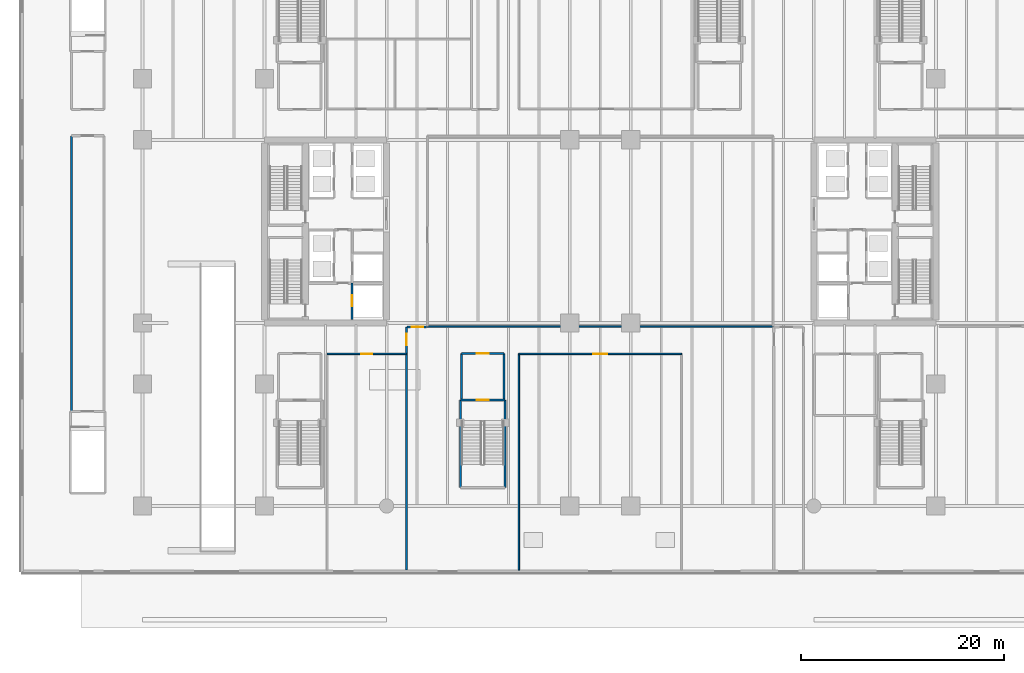
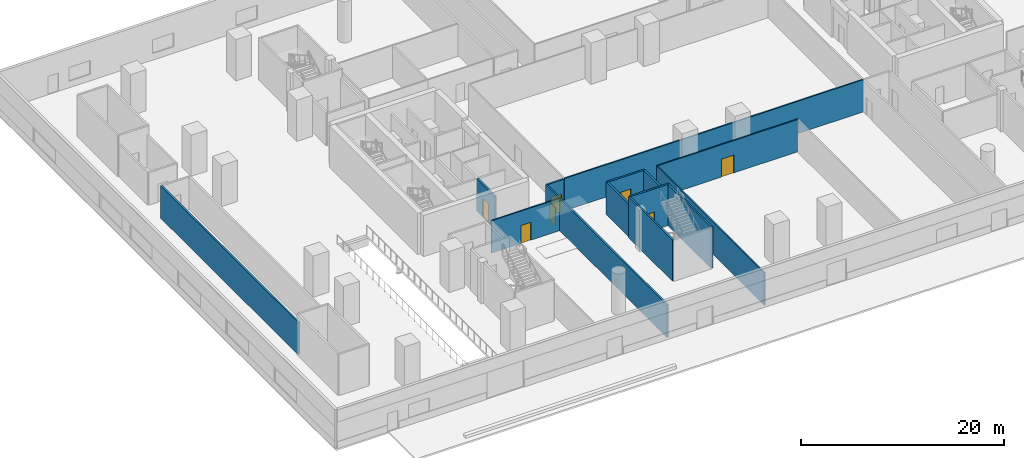
# One storey, part 5 of 25: 14 walls, 7 doors, 7 openings.
"""IFC4 building model written with IfcOpenShell, lengths in metres."""

from ifc_helpers import new_model, si_unit, direction, frame, frame_2d, origin, place, context, subcontext, project, spatial, rectangle, extrude, material, layer, layer_set, type_object, element, fill, save


model = new_model("IFC4")

# Units and contexts
model_context = context("Model", 3, precision=1e-05, world=origin(), true_north=direction((0.0, 1.0)))
body_context = subcontext(model_context, "Body", "Model", "MODEL_VIEW")
ifc_project = project(units=[si_unit("LENGTHUNIT", "METRE"), si_unit("AREAUNIT", "SQUARE_METRE"), si_unit("VOLUMEUNIT", "CUBIC_METRE"), si_unit("PLANEANGLEUNIT", "RADIAN"), si_unit("MASSUNIT", "GRAM", prefix="KILO")], contexts=[model_context])

# Site, building, storey
site_placement = place(None, origin())
site = spatial("IfcSite", under=ifc_project, at=site_placement, CompositionType="ELEMENT")
building_placement = place(site_placement, origin())
building = spatial("IfcBuilding", under=site, at=building_placement, Name="Tanjung Sevakor Pilgrim Tower", CompositionType="ELEMENT")
storey_placement = place(building_placement, origin())
storey = spatial("IfcBuildingStorey", under=building, at=storey_placement, Name="L01", CompositionType="ELEMENT", Elevation=0.0)

# Wall, opening, door
ifc_material_1 = material(Name="Concrete C40/50", Category="concrete")
ifc_layer_1 = layer(ifc_material_1, 0.14990234375)
ifc_layer_set_1 = layer_set([ifc_layer_1], Name="WT-COMP-150")
wall_type_1 = type_object("IfcWallType", Name="WT-COMP-150", PredefinedType="SOLIDWALL", material=ifc_layer_set_1)
wall_1_placement = place(storey_placement, frame((49.0, 21.550048828125, 0.0), z_axis=(0.0, 0.0, 1.0), x_axis=(1.0, 0.0, 0.0)))
wall_1 = element("IfcWall", 1, at=wall_1_placement, inside=storey, type_object=wall_type_1, Name="L01 Partition IW-L01-061", PredefinedType="SOLIDWALL", context=body_context, shape_type="SweptSolid", body=[
    extrude(rectangle(XDim=16.0, YDim=0.14990234375, at=frame_2d((8.0, 0.0))), origin(), (0.0, 0.0, 1.0), 3.889892578125),
])
opening_1_placement = place(wall_1_placement, frame((7.300048828125, 0.0, 0.0)))
opening_1 = element("IfcOpeningElement", 2, at=opening_1_placement, cuts=wall_1, Name="Opening ID-HD1", PredefinedType="OPENING", context=body_context, shape_type="SweptSolid", body=[
    extrude(rectangle(XDim=1.39990234375, YDim=2.14990234375, at=frame_2d((0.699951171875, 1.074951171875))), frame((0.0, 0.0849609375, 0.0), z_axis=(0.0, -1.0, 0.0), x_axis=(1.0, 0.0, 0.0)), (0.0, 0.0, 1.0), 0.169921875),
])
ifc_material_2 = material(Name="Hardwood Timber", Category="wood")
door_type_1 = type_object("IfcDoorType", Name="DT-INT-1400", OperationType="DOUBLE_DOOR_SINGLE_SWING", PredefinedType="DOOR", material=ifc_material_2)
door_1_placement = place(opening_1_placement, frame((1.39990234375, 0.0, 0.0), z_axis=(0.0, 0.0, 1.0), x_axis=(-1.0, 0.0, 0.0)))
door_1 = element("IfcDoor", 3, at=door_1_placement, inside=storey, type_object=door_type_1, Name="L01 Reception Lobby Door", OperationType="SINGLE_SWING_RIGHT", OverallHeight=2.14990234375, OverallWidth=1.39990234375, PredefinedType="DOOR", context=body_context, shape_type="SweptSolid", body=[
    extrude(rectangle(XDim=1.39990234375, YDim=2.14990234375, at=frame_2d((0.699951171875, 1.074951171875))), frame((0.0, 0.02490234375, 0.0), z_axis=(0.0, -1.0, 0.0), x_axis=(1.0, 0.0, 0.0)), (0.0, 0.0, 1.0), 0.050048828125),
])
fill(opening_1, door_1)

# Walls
wall_2_placement = place(storey_placement, frame((49.0, 0.300048828125, 0.0), z_axis=(0.0, 0.0, 1.0), x_axis=(0.0, 1.0, 0.0)))
element("IfcWall", 4, at=wall_2_placement, inside=storey, type_object=wall_type_1, Name="L01 Partition IW-L01-062", PredefinedType="SOLIDWALL", context=body_context, shape_type="SweptSolid", body=[
    extrude(rectangle(XDim=21.25, YDim=0.14990234375, at=frame_2d((10.625, 0.0))), origin(), (0.0, 0.0, 1.0), 3.889892578125),
])
wall_3_placement = place(storey_placement, frame((40.0, 24.25, 0.0), z_axis=(0.0, 0.0, 1.0), x_axis=(1.0, 0.0, 0.0)))
element("IfcWall", 5, at=wall_3_placement, inside=storey, type_object=wall_type_1, Name="L01 Partition IW-L01-070", PredefinedType="SOLIDWALL", context=body_context, shape_type="SweptSolid", body=[
    extrude(rectangle(XDim=34.0, YDim=0.14990234375, at=frame_2d((17.0, 0.0))), origin(), (0.0, 0.0, 1.0), 3.889892578125),
])

# Wall, opening, door
wall_4_placement = place(storey_placement, frame((30.14990234375, 21.550048828125, 0.0), z_axis=(0.0, 0.0, 1.0), x_axis=(1.0, 0.0, 0.0)))
wall_4 = element("IfcWall", 6, at=wall_4_placement, inside=storey, type_object=wall_type_1, Name="L01 Partition IW-L01-077", PredefinedType="SOLIDWALL", context=body_context, shape_type="SweptSolid", body=[
    extrude(rectangle(XDim=7.800048828125, YDim=0.14990234375, at=frame_2d((3.89990234375, 0.0))), origin(), (0.0, 0.0, 1.0), 3.889892578125),
])
opening_2_placement = place(wall_4_placement, frame((3.35009765625, 0.0, 0.0)))
opening_2 = element("IfcOpeningElement", 7, at=opening_2_placement, cuts=wall_4, Name="Opening ID-RM2", PredefinedType="OPENING", context=body_context, shape_type="SweptSolid", body=[
    extrude(rectangle(XDim=1.10009765625, YDim=2.14990234375, at=frame_2d((0.550048828125, 1.074951171875))), frame((0.0, 0.0849609375, 0.0), z_axis=(0.0, -1.0, 0.0), x_axis=(1.0, 0.0, 0.0)), (0.0, 0.0, 1.0), 0.169921875),
])
ifc_material_3 = material(Name="Hardwood Timber", Category="wood")
door_type_2 = type_object("IfcDoorType", Name="DT-INT-1100", OperationType="NOTDEFINED", PredefinedType="DOOR", material=ifc_material_3)
door_2_placement = place(opening_2_placement, frame((1.10009765625, 0.0, 0.0), z_axis=(0.0, 0.0, 1.0), x_axis=(-1.0, 0.0, 0.0)))
door_2 = element("IfcDoor", 8, at=door_2_placement, inside=storey, type_object=door_type_2, Name="L01 West Retail Corridor Door", OperationType="SINGLE_SWING_LEFT", OverallHeight=2.14990234375, OverallWidth=1.10009765625, PredefinedType="DOOR", context=body_context, shape_type="SweptSolid", body=[
    extrude(rectangle(XDim=1.10009765625, YDim=2.14990234375, at=frame_2d((0.550048828125, 1.074951171875))), frame((0.0, 0.02490234375, 0.0), z_axis=(0.0, -1.0, 0.0), x_axis=(1.0, 0.0, 0.0)), (0.0, 0.0, 1.0), 0.050048828125),
])
fill(opening_2, door_2)

# Wall
ifc_material_4 = material(Name="Concrete C40/50", Category="concrete")
ifc_layer_2 = layer(ifc_material_4, 0.199951171875)
ifc_layer_set_2 = layer_set([ifc_layer_2], Name="WT-FIRE-200")
wall_type_2 = type_object("IfcWallType", Name="WT-FIRE-200", PredefinedType="SOLIDWALL", material=ifc_layer_set_2)
wall_5_placement = place(storey_placement, frame((47.64990234375, 8.39990234375, 0.0), z_axis=(0.0, 0.0, 1.0), x_axis=(0.0, 1.0, 0.0)))
element("IfcWall", 9, at=wall_5_placement, inside=storey, type_object=wall_type_2, Name="L01 PS-3 Shaft Wall 2", PredefinedType="SOLIDWALL", context=body_context, shape_type="SweptSolid", body=[
    extrude(rectangle(XDim=8.60009765625, YDim=0.199951171875, at=frame_2d((4.300048828125, 0.0))), origin(), (0.0, 0.0, 1.0), 4.949951171875),
])

# Wall, opening, door
wall_6_placement = place(storey_placement, frame((47.64990234375, 17.0, 0.0), z_axis=(0.0, 0.0, 1.0), x_axis=(-1.0, 0.0, 0.0)))
wall_6 = element("IfcWall", 10, at=wall_6_placement, inside=storey, type_object=wall_type_2, Name="L01 PS-3 Shaft Wall 3", PredefinedType="SOLIDWALL", context=body_context, shape_type="SweptSolid", body=[
    extrude(rectangle(XDim=4.39990234375, YDim=0.199951171875, at=frame_2d((2.199951171875, 0.0))), origin(), (0.0, 0.0, 1.0), 4.949951171875),
])
opening_3_placement = place(wall_6_placement, frame((1.625, 0.0, 0.0)))
opening_3 = element("IfcOpeningElement", 11, at=opening_3_placement, cuts=wall_6, Name="Opening ID-ST1", PredefinedType="OPENING", context=body_context, shape_type="SweptSolid", body=[
    extrude(rectangle(XDim=1.14990234375, YDim=2.14990234375, at=frame_2d((0.574951171875, 1.074951171875))), frame((0.0, 0.10986328125, 0.0), z_axis=(0.0, -1.0, 0.0), x_axis=(1.0, 0.0, 0.0)), (0.0, 0.0, 1.0), 0.219970703125),
])
ifc_material_5 = material(Name="Fire-Rated Steel S355J2", Category="steel")
door_type_3 = type_object("IfcDoorType", Name="DT-FIRE-1150", OperationType="NOTDEFINED", PredefinedType="DOOR", material=ifc_material_5)
door_3_placement = place(opening_3_placement, frame((1.14990234375, 0.0, 0.0), z_axis=(0.0, 0.0, 1.0), x_axis=(-1.0, 0.0, 0.0)))
door_3 = element("IfcDoor", 12, at=door_3_placement, inside=storey, type_object=door_type_3, Name="L01 PS-3 Stair Entry Fire Door", OperationType="SINGLE_SWING_LEFT", OverallHeight=2.14990234375, OverallWidth=1.14990234375, PredefinedType="DOOR", context=body_context, shape_type="SweptSolid", body=[
    extrude(rectangle(XDim=1.14990234375, YDim=2.14990234375, at=frame_2d((0.574951171875, 1.074951171875))), frame((0.0, 0.02490234375, 0.0), z_axis=(0.0, -1.0, 0.0), x_axis=(1.0, 0.0, 0.0)), (0.0, 0.0, 1.0), 0.050048828125),
])
fill(opening_3, door_3)

# Wall
wall_7_placement = place(storey_placement, frame((43.25, 17.0, 0.0), z_axis=(0.0, 0.0, 1.0), x_axis=(0.0, -1.0, 0.0)))
element("IfcWall", 13, at=wall_7_placement, inside=storey, type_object=wall_type_2, Name="L01 PS-3 Shaft Wall 4", PredefinedType="SOLIDWALL", context=body_context, shape_type="SweptSolid", body=[
    extrude(rectangle(XDim=8.60009765625, YDim=0.199951171875, at=frame_2d((4.300048828125, 0.0))), origin(), (0.0, 0.0, 1.0), 4.949951171875),
])

# Wall, opening, door
ifc_material_6 = material(Name="Concrete C40/50", Category="concrete")
ifc_layer_3 = layer(ifc_material_6, 0.199951171875)
ifc_layer_set_3 = layer_set([ifc_layer_3], Name="WT-FPRT-200")
wall_type_3 = type_object("IfcWallType", Name="WT-FPRT-200", PredefinedType="SOLIDWALL", material=ifc_layer_set_3)
wall_8_placement = place(storey_placement, frame((32.60009765625, 24.919921875, 0.0), z_axis=(0.0, 0.0, 1.0), x_axis=(0.0, 1.0, 0.0)))
wall_8 = element("IfcWall", 14, at=wall_8_placement, inside=storey, type_object=wall_type_3, Name="L01 Partition IW-L01-001", PredefinedType="SOLIDWALL", context=body_context, shape_type="SweptSolid", body=[
    extrude(rectangle(XDim=3.580078125, YDim=0.199951171875, at=frame_2d((1.7900390625, 0.0))), origin(), (0.0, 0.0, 1.0), 3.889892578125),
])
opening_4_placement = place(wall_8_placement, frame((1.300048828125, 0.0, 0.0)))
opening_4 = element("IfcOpeningElement", 15, at=opening_4_placement, cuts=wall_8, Name="Opening LD-1100", PredefinedType="OPENING", context=body_context, shape_type="SweptSolid", body=[
    extrude(rectangle(XDim=1.10009765625, YDim=2.199951171875, at=frame_2d((0.550048828125, 1.10009765625))), frame((0.0, 0.10986328125, 0.0), z_axis=(0.0, -1.0, 0.0), x_axis=(1.0, 0.0, 0.0)), (0.0, 0.0, 1.0), 0.219970703125),
])
ifc_material_7 = material(Name="Brushed Stainless Steel S355J2", Category="steel")
door_type_4 = type_object("IfcDoorType", Name="DT-LIFT-1100", OperationType="SLIDING_TO_LEFT", PredefinedType="DOOR", material=ifc_material_7)
door_4_placement = place(opening_4_placement, origin())
door_4 = element("IfcDoor", 16, at=door_4_placement, inside=storey, type_object=door_type_4, Name="LD-FL-W", OperationType="SLIDING_TO_LEFT", OverallHeight=2.199951171875, OverallWidth=1.10009765625, PredefinedType="DOOR", context=body_context, shape_type="SweptSolid", body=[
    extrude(rectangle(XDim=1.10009765625, YDim=2.199951171875, at=frame_2d((0.550048828125, 1.10009765625))), frame((0.0, 0.02490234375, 0.0), z_axis=(0.0, -1.0, 0.0), x_axis=(1.0, 0.0, 0.0)), (0.0, 0.0, 1.0), 0.050048828125),
])
fill(opening_4, door_4)

wall_9_placement = place(storey_placement, frame((38.0, 24.199951171875, 0.0), z_axis=(0.0, 0.0, 1.0), x_axis=(1.0, 0.0, 0.0)))
wall_9 = element("IfcWall", 17, at=wall_9_placement, inside=storey, type_object=wall_type_3, Name="L01 Partition IW-L01-029", PredefinedType="SOLIDWALL", context=body_context, shape_type="SweptSolid", body=[
    extrude(rectangle(XDim=1.89990234375, YDim=0.199951171875, at=frame_2d((0.949951171875, 0.0))), origin(), (0.0, 0.0, 1.0), 3.889892578125),
])
opening_5_placement = place(wall_9_placement, frame((0.449951171875, 0.0, 0.0)))
opening_5 = element("IfcOpeningElement", 18, at=opening_5_placement, cuts=wall_9, Name="Opening ID-ST1", PredefinedType="OPENING", context=body_context, shape_type="SweptSolid", body=[
    extrude(rectangle(XDim=1.14990234375, YDim=2.14990234375, at=frame_2d((0.574951171875, 1.074951171875))), frame((0.0, 0.10986328125, 0.0), z_axis=(0.0, -1.0, 0.0), x_axis=(1.0, 0.0, 0.0)), (0.0, 0.0, 1.0), 0.219970703125),
])
door_5_placement = place(opening_5_placement, frame((1.14990234375, 0.0, 0.0), z_axis=(0.0, 0.0, 1.0), x_axis=(-1.0, 0.0, 0.0)))
door_5 = element("IfcDoor", 19, at=door_5_placement, inside=storey, type_object=door_type_3, Name="L01 West Core South Exit Door", OperationType="SINGLE_SWING_RIGHT", OverallHeight=2.14990234375, OverallWidth=1.14990234375, PredefinedType="DOOR", context=body_context, shape_type="SweptSolid", body=[
    extrude(rectangle(XDim=1.14990234375, YDim=2.14990234375, at=frame_2d((0.574951171875, 1.074951171875))), frame((0.0, 0.02490234375, 0.0), z_axis=(0.0, -1.0, 0.0), x_axis=(1.0, 0.0, 0.0)), (0.0, 0.0, 1.0), 0.050048828125),
])
fill(opening_5, door_5)

# Walls
for number, where, z_axis, x_axis, name in (
    (20, (43.35009765625, 17.0, 0.0), (0.0, 0.0, 1.0), (0.0, 1.0, 0.0), "L01 Partition IW-L01-034"),
    (21, (47.550048828125, 17.0, 0.0), (0.0, 0.0, 1.0), (0.0, 1.0, 0.0), "L01 Partition IW-L01-035"),
):
    element("IfcWall", number, at=place(storey_placement, frame(where, z_axis=z_axis, x_axis=x_axis)), inside=storey, type_object=wall_type_3, Name=name, PredefinedType="SOLIDWALL", context=body_context, shape_type="SweptSolid", body=[
        extrude(rectangle(XDim=4.60009765625, YDim=0.199951171875, at=frame_2d((2.300048828125, 0.0))), origin(), (0.0, 0.0, 1.0), 3.889892578125),
    ])

# Wall, opening, door
wall_10_placement = place(storey_placement, frame((43.35009765625, 21.60009765625, 0.0), z_axis=(0.0, 0.0, 1.0), x_axis=(1.0, 0.0, 0.0)))
wall_10 = element("IfcWall", 22, at=wall_10_placement, inside=storey, type_object=wall_type_3, Name="L01 Partition IW-L01-036", PredefinedType="SOLIDWALL", context=body_context, shape_type="SweptSolid", body=[
    extrude(rectangle(XDim=4.199951171875, YDim=0.199951171875, at=frame_2d((2.10009765625, 0.0))), origin(), (0.0, 0.0, 1.0), 3.889892578125),
])
opening_6_placement = place(wall_10_placement, frame((1.52490234375, 0.0, 0.0)))
opening_6 = element("IfcOpeningElement", 23, at=opening_6_placement, cuts=wall_10, Name="Opening ID-ST1", PredefinedType="OPENING", context=body_context, shape_type="SweptSolid", body=[
    extrude(rectangle(XDim=1.14990234375, YDim=2.14990234375, at=frame_2d((0.574951171875, 1.074951171875))), frame((0.0, 0.10986328125, 0.0), z_axis=(0.0, -1.0, 0.0), x_axis=(1.0, 0.0, 0.0)), (0.0, 0.0, 1.0), 0.219970703125),
])
door_6_placement = place(opening_6_placement, origin())
door_6 = element("IfcDoor", 24, at=door_6_placement, inside=storey, type_object=door_type_3, Name="L01 Stair Lobby PS3 Exit Door", OperationType="SINGLE_SWING_LEFT", OverallHeight=2.14990234375, OverallWidth=1.14990234375, PredefinedType="DOOR", context=body_context, shape_type="SweptSolid", body=[
    extrude(rectangle(XDim=1.14990234375, YDim=2.14990234375, at=frame_2d((0.574951171875, 1.074951171875))), frame((0.0, 0.02490234375, 0.0), z_axis=(0.0, -1.0, 0.0), x_axis=(1.0, 0.0, 0.0)), (0.0, 0.0, 1.0), 0.050048828125),
])
fill(opening_6, door_6)

# Wall
wall_11_placement = place(storey_placement, frame((5.0, 15.89990234375, 0.0), z_axis=(0.0, 0.0, 1.0), x_axis=(0.0, 1.0, 0.0)))
element("IfcWall", 25, at=wall_11_placement, inside=storey, type_object=wall_type_3, Name="L01 Partition IW-L01-058", PredefinedType="SOLIDWALL", context=body_context, shape_type="SweptSolid", body=[
    extrude(rectangle(XDim=27.10009765625, YDim=0.199951171875, at=frame_2d((13.550048828125, 0.0))), origin(), (0.0, 0.0, 1.0), 3.889892578125),
])

# Wall, opening, door
wall_12_placement = place(storey_placement, frame((37.9599609375, 0.300048828125, 0.0), z_axis=(0.0, 0.0, 1.0), x_axis=(0.0, 1.0, 0.0)))
wall_12 = element("IfcWall", 26, at=wall_12_placement, inside=storey, type_object=wall_type_3, Name="L01 Partition IW-L01-064", PredefinedType="SOLIDWALL", context=body_context, shape_type="SweptSolid", body=[
    extrude(rectangle(XDim=23.89990234375, YDim=0.199951171875, at=frame_2d((11.949951171875, 0.0))), origin(), (0.0, 0.0, 1.0), 3.889892578125),
])
opening_7_placement = place(wall_12_placement, frame((22.10009765625, 0.0, 0.0)))
opening_7 = element("IfcOpeningElement", 27, at=opening_7_placement, cuts=wall_12, Name="Opening ID-ST1", PredefinedType="OPENING", context=body_context, shape_type="SweptSolid", body=[
    extrude(rectangle(XDim=1.14990234375, YDim=2.14990234375, at=frame_2d((0.574951171875, 1.074951171875))), frame((0.0, 0.10986328125, 0.0), z_axis=(0.0, -1.0, 0.0), x_axis=(1.0, 0.0, 0.0)), (0.0, 0.0, 1.0), 0.219970703125),
])
door_7_placement = place(opening_7_placement, frame((1.14990234375, 0.0, 0.0), z_axis=(0.0, 0.0, 1.0), x_axis=(-1.0, 0.0, 0.0)))
door_7 = element("IfcDoor", 28, at=door_7_placement, inside=storey, type_object=door_type_3, Name="L01 West Corridor To Exit Passage Door", OperationType="SINGLE_SWING_LEFT", OverallHeight=2.14990234375, OverallWidth=1.14990234375, PredefinedType="DOOR", context=body_context, shape_type="SweptSolid", body=[
    extrude(rectangle(XDim=1.14990234375, YDim=2.14990234375, at=frame_2d((0.574951171875, 1.074951171875))), frame((0.0, 0.02490234375, 0.0), z_axis=(0.0, -1.0, 0.0), x_axis=(1.0, 0.0, 0.0)), (0.0, 0.0, 1.0), 0.050048828125),
])
fill(opening_7, door_7)

save(model, "model.ifc")
